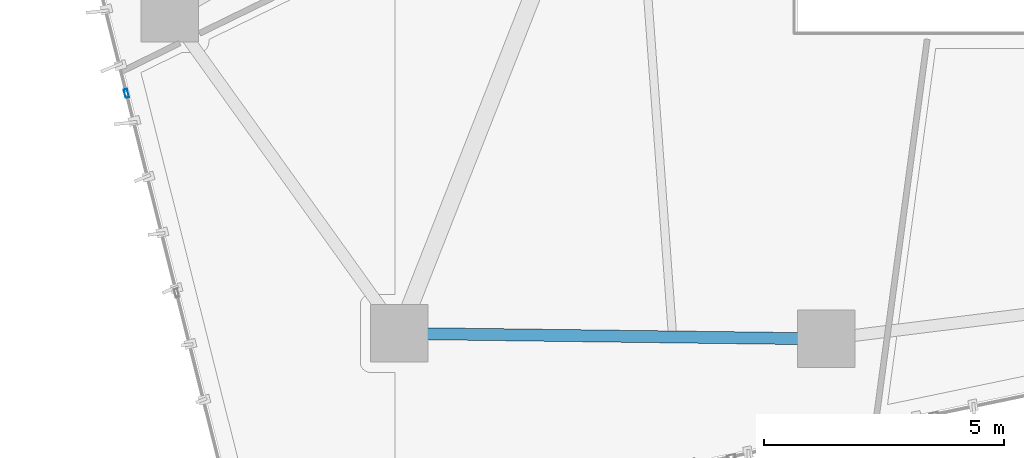
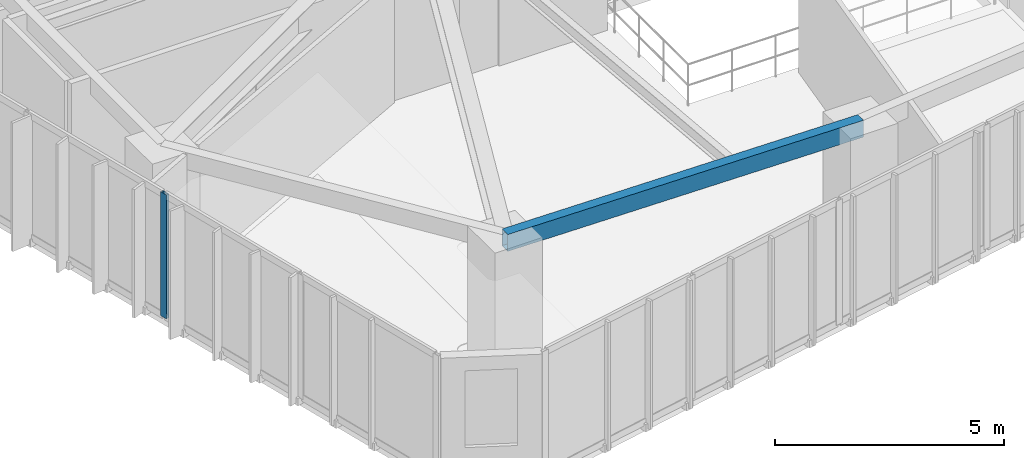
# One storey, part 3 of 22: 1 beam, 1 member, 1 element without a shape of its own.
"""IFC4 building model written with IfcOpenShell, lengths in metres."""

from ifc_helpers import new_model, si_unit, direction, frame, origin, origin_2d, place, context, subcontext, project, spatial, hollow_rectangle, extrude, source, transform, mapped, material, layer, layer_set, material_profile, profile_set, type_object, type_shapes, element, aggregate, save


model = new_model("IFC4")

# Units and contexts
model_context = context("Model", 3, precision=1e-05, world=origin(), true_north=direction((0.0, 1.0)))
body_context = subcontext(model_context, "Body", "Model", "MODEL_VIEW")
ifc_project = project(units=[si_unit("LENGTHUNIT", "METRE"), si_unit("AREAUNIT", "SQUARE_METRE"), si_unit("VOLUMEUNIT", "CUBIC_METRE"), si_unit("PLANEANGLEUNIT", "RADIAN"), si_unit("MASSUNIT", "GRAM", prefix="KILO")], contexts=[model_context])

# Site, building, storey
site_placement = place(None, origin())
site = spatial("IfcSite", under=ifc_project, at=site_placement, CompositionType="ELEMENT")
building_placement = place(site_placement, origin())
building = spatial("IfcBuilding", under=site, at=building_placement, Name="Talar Marvaseh", CompositionType="ELEMENT")
storey_placement = place(building_placement, frame((0.0, 0.0, 125.39990234375)))
storey = spatial("IfcBuildingStorey", under=building, at=storey_placement, Name="L32", CompositionType="ELEMENT", Elevation=125.39990234375)

# Beam
ifc_material_1 = material(Name="Steel S355", Category="steel")
ifc_material_profile_1 = material_profile(ifc_material_1, hollow_rectangle(XDim=0.25, YDim=0.449951171875, WallThickness=0.01611328125, at=origin_2d()), Name="RHS450x250x16")
ifc_profile_set_1 = profile_set([ifc_material_profile_1], Name="Steel S355")
beam_type = type_object("IfcBeamType", Name="Zone 2 Perimeter Spandrel Beam RHS450x250x16", PredefinedType="SPANDREL", material=ifc_profile_set_1)
beam_placement = place(storey_placement, frame((22.804931640625, 13.18310546875, 3.085205078125), z_axis=(-0.999915383581, 0.013008677034, 0.0), x_axis=(-0.013008677034, -0.999915383581, 0.0)))
element("IfcBeam", 1, at=beam_placement, inside=storey, type_object=beam_type, Name="L32 Zone 2 Perimeter Spandrel Beam RHS450x250x16", PredefinedType="SPANDREL", context=body_context, shape_type="SweptSolid", body=[
    extrude(hollow_rectangle(XDim=0.25, YDim=0.449951171875, WallThickness=0.01611328125, at=origin_2d()), origin(), (0.0, 0.0, 1.0), 8.91455078125),
])

# Curtain wall, member
ifc_material_2 = material(Name="Architectural Aluminium", Category="aluminium")
ifc_layer = layer(ifc_material_2, 0.199951171875)
ifc_layer_set = layer_set([ifc_layer], Name="Architectural Aluminium")
curtain_wall_type = type_object("IfcCurtainWallType", Name="Unitised Acoustic Library Curtain Wall Z2", PredefinedType="NOTDEFINED", material=ifc_layer_set)
curtain_wall_placement = place(storey_placement, origin())
curtain_wall = element("IfcCurtainWall", 2, at=curtain_wall_placement, inside=storey, type_object=curtain_wall_type, Name="L32 Unitised Acoustic Library Curtain Wall Z2", PredefinedType="NOTDEFINED")
ifc_material_profile_2 = material_profile(ifc_material_2, hollow_rectangle(XDim=0.074951171875, YDim=0.179931640625, WallThickness=0.0048828125, at=origin_2d()), Name="RHS180x75x5")
ifc_profile_set_2 = profile_set([ifc_material_profile_2], Name="Architectural Aluminium")
member_type = type_object("IfcMemberType", Name="Unitised Curtain Wall Standard Mullion RHS180x75x5", PredefinedType="MULLION", material=ifc_profile_set_2)
shared_shape = source(origin(), body_context, "Body", "SweptSolid", [
    extrude(hollow_rectangle(XDim=0.074951171875, YDim=0.179931640625, WallThickness=0.0048828125, at=origin_2d()), origin(), (0.0, 0.0, 1.0), 3.31005859375),
])
type_shapes(member_type, [shared_shape])
member_placement = place(storey_placement, frame((8.194580078125, 18.31005859375, 0.0), z_axis=(0.0, 0.0, 1.0), x_axis=(-0.96988842573, -0.243549669748, 0.0)))
member = element("IfcMember", 3, at=member_placement, type_object=member_type, Name="CW-Z2 mullion 3", PredefinedType="MULLION", context=body_context, shape_type="MappedRepresentation", body=[
    mapped(shared_shape, transform((0.0, 0.0, 0.0), x_axis=(1.0, 0.0, 0.0), y_axis=(0.0, 1.0, 0.0), z_axis=(0.0, 0.0, 1.0), scale=1.0)),
])
aggregate(curtain_wall, [member])

save(model, "model.ifc")
